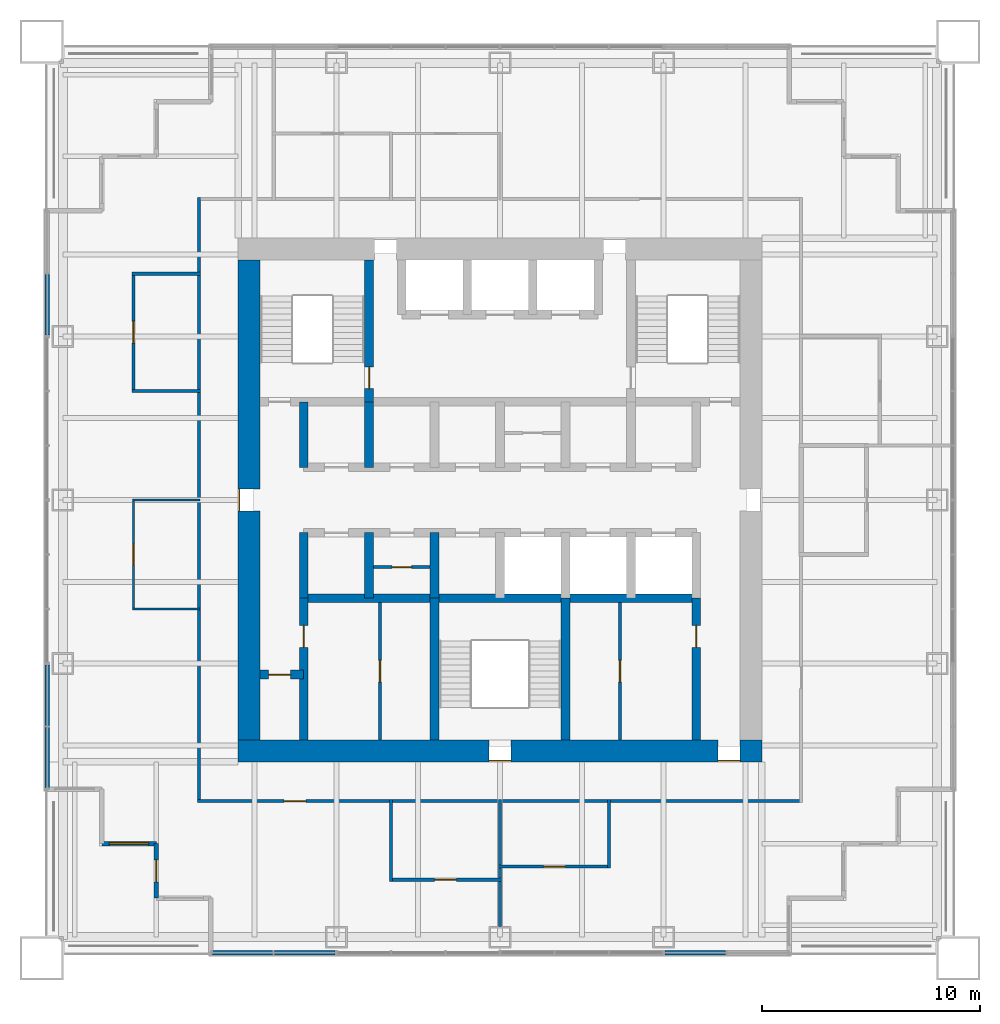
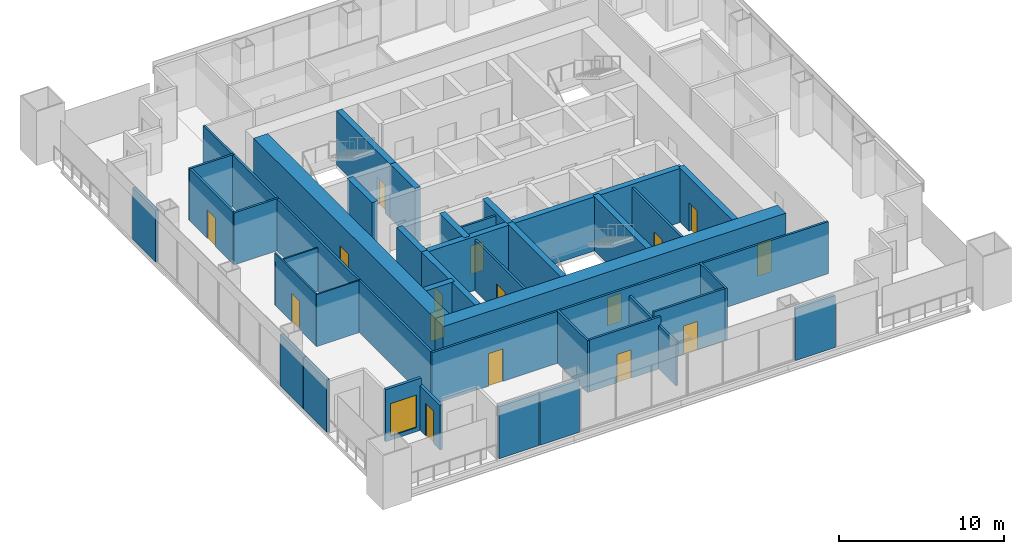
# One storey, part 9 of 14: 38 walls, 16 doors, 1 window, 17 openings.
"""IFC4 building model written with IfcOpenShell, lengths in metres."""

from ifc_helpers import new_model, si_unit, direction, frame, frame_2d, origin, place, context, subcontext, project, spatial, rectangle, extrude, material, layer, layer_set, type_object, element, fill, save


model = new_model("IFC4")

# Units and contexts
model_context = context("Model", 3, precision=1e-05, world=origin(), true_north=direction((0.0, 1.0)))
body_context = subcontext(model_context, "Body", "Model", "MODEL_VIEW")
ifc_project = project(units=[si_unit("LENGTHUNIT", "METRE"), si_unit("AREAUNIT", "SQUARE_METRE"), si_unit("VOLUMEUNIT", "CUBIC_METRE"), si_unit("PLANEANGLEUNIT", "RADIAN"), si_unit("MASSUNIT", "GRAM", prefix="KILO")], contexts=[model_context])

# Site, building, storey
site_placement = place(None, origin())
site = spatial("IfcSite", under=ifc_project, at=site_placement, CompositionType="ELEMENT")
building_placement = place(site_placement, origin())
building = spatial("IfcBuilding", under=site, at=building_placement, Name="Tarangal Relay Tower", CompositionType="ELEMENT")
storey_placement = place(building_placement, frame((0.0, 0.0, 267.89990234375)))
storey = spatial("IfcBuildingStorey", under=building, at=storey_placement, Name="L58", CompositionType="ELEMENT", Elevation=267.89990234375)

# Wall
ifc_material_1 = material(Name="Concrete fc' 60 MPa", Category="concrete")
ifc_layer_1 = layer(ifc_material_1, 0.39990234375)
ifc_layer_set_1 = layer_set([ifc_layer_1], Name="Core inner wall 400")
wall_type_1 = type_object("IfcWallType", Name="Core inner wall 400", PredefinedType="SHEAR", material=ifc_layer_set_1)
wall_1_placement = place(storey_placement, frame((-9.0, -4.5, 0.0), z_axis=(0.0, 0.0, 1.0), x_axis=(1.0, 0.0, 0.0)))
element("IfcWall", 1, at=wall_1_placement, inside=storey, type_object=wall_type_1, Name="Core wall YM45 L58", PredefinedType="SHEAR", context=body_context, shape_type="SweptSolid", body=[
    extrude(rectangle(XDim=18.0, YDim=0.39990234375, at=frame_2d((9.0, 0.0))), origin(), (0.0, 0.0, 1.0), 4.0),
])

# Wall, opening, door
wall_2_placement = place(storey_placement, frame((-11.0, -8.0, 0.0), z_axis=(0.0, 0.0, 1.0), x_axis=(1.0, 0.0, 0.0)))
wall_2 = element("IfcWall", 2, at=wall_2_placement, inside=storey, type_object=wall_type_1, Name="Core wall YM8 L58", PredefinedType="SHEAR", context=body_context, shape_type="SweptSolid", body=[
    extrude(rectangle(XDim=2.0, YDim=0.39990234375, at=frame_2d((1.0, 0.0))), origin(), (0.0, 0.0, 1.0), 4.0),
])
opening_1_placement = place(wall_2_placement, frame((0.39990234375, 0.0, 0.0)))
opening_1 = element("IfcOpeningElement", 3, at=opening_1_placement, cuts=wall_2, Name="Opening D1", PredefinedType="OPENING", context=body_context, shape_type="SweptSolid", body=[
    extrude(rectangle(XDim=1.0, YDim=2.10009765625, at=frame_2d((0.5, 1.050048828125))), frame((0.0, 0.2099609375, 0.0), z_axis=(0.0, -1.0, 0.0), x_axis=(1.0, 0.0, 0.0)), (0.0, 0.0, 1.0), 0.419921875),
])
ifc_material_2 = material(Name="Hardwood door", Category="wood")
door_type_1 = type_object("IfcDoorType", Name="WC door 1000 x 2100", OperationType="SINGLE_SWING_LEFT", PredefinedType="DOOR", material=ifc_material_2)
door_1_placement = place(opening_1_placement, origin())
door_1 = element("IfcDoor", 4, at=door_1_placement, inside=storey, type_object=door_type_1, Name="Accessible WC door L58", OperationType="SINGLE_SWING_LEFT", OverallHeight=2.10009765625, OverallWidth=1.0, PredefinedType="DOOR", context=body_context, shape_type="SweptSolid", body=[
    extrude(rectangle(XDim=1.0, YDim=2.10009765625, at=frame_2d((0.5, 1.050048828125))), frame((0.0, 0.02490234375, 0.0), z_axis=(0.0, -1.0, 0.0), x_axis=(1.0, 0.0, 0.0)), (0.0, 0.0, 1.0), 0.050048828125),
])
fill(opening_1, door_1)

# Walls
for number, where, z_axis, x_axis, name in (
    (5, (-9.0, 1.5, 0.0), (0.0, 0.0, 1.0), (0.0, 1.0, 0.0), "Core wall XM9N L58"),
    (6, (-9.0, -4.5, 0.0), (0.0, 0.0, 1.0), (0.0, 1.0, 0.0), "Core wall XM9S L58"),
    (7, (-6.0, 1.5, 0.0), (0.0, 0.0, 1.0), (0.0, 1.0, 0.0), "Core wall XM6N L58"),
    (8, (-6.0, -4.5, 0.0), (0.0, 0.0, 1.0), (0.0, 1.0, 0.0), "Core wall XM6S L58"),
    (9, (-3.0, -4.5, 0.0), (0.0, 0.0, 1.0), (0.0, 1.0, 0.0), "Core wall XM3S L58"),
):
    element("IfcWall", number, at=place(storey_placement, frame(where, z_axis=z_axis, x_axis=x_axis)), inside=storey, type_object=wall_type_1, Name=name, PredefinedType="SHEAR", context=body_context, shape_type="SweptSolid", body=[
        extrude(rectangle(XDim=3.0, YDim=0.39990234375, at=frame_2d((1.5, 0.0))), origin(), (0.0, 0.0, 1.0), 4.0),
    ])

# Wall, opening, door
wall_3_placement = place(storey_placement, frame((-6.0, 4.5, 0.0), z_axis=(0.0, 0.0, 1.0), x_axis=(0.0, 1.0, 0.0)))
wall_3 = element("IfcWall", 10, at=wall_3_placement, inside=storey, type_object=wall_type_1, Name="Core wall XM6 L58", PredefinedType="SHEAR", context=body_context, shape_type="SweptSolid", body=[
    extrude(rectangle(XDim=6.5, YDim=0.39990234375, at=frame_2d((3.25, 0.0))), origin(), (0.0, 0.0, 1.0), 4.0),
])
opening_2_placement = place(wall_3_placement, frame((0.60009765625, 0.0, 0.0)))
opening_2 = element("IfcOpeningElement", 11, at=opening_2_placement, cuts=wall_3, Name="Opening FD1", PredefinedType="OPENING", context=body_context, shape_type="SweptSolid", body=[
    extrude(rectangle(XDim=1.0, YDim=2.10009765625, at=frame_2d((0.5, 1.050048828125))), frame((0.0, 0.2099609375, 0.0), z_axis=(0.0, -1.0, 0.0), x_axis=(1.0, 0.0, 0.0)), (0.0, 0.0, 1.0), 0.419921875),
])
ifc_material_3 = material(Name="Steel door with hardwood frame", Category="steel")
door_type_2 = type_object("IfcDoorType", Name="Fire door 1000 x 2100", OperationType="SINGLE_SWING_LEFT", PredefinedType="DOOR", material=ifc_material_3)
door_2_placement = place(opening_2_placement, origin())
door_2 = element("IfcDoor", 12, at=door_2_placement, inside=storey, type_object=door_type_2, Name="Stair ST-A door from fire-fighting lobby L58", OperationType="SINGLE_SWING_LEFT", OverallHeight=2.10009765625, OverallWidth=1.0, PredefinedType="DOOR", context=body_context, shape_type="SweptSolid", body=[
    extrude(rectangle(XDim=1.0, YDim=2.10009765625, at=frame_2d((0.5, 1.050048828125))), frame((0.0, 0.02490234375, 0.0), z_axis=(0.0, -1.0, 0.0), x_axis=(1.0, 0.0, 0.0)), (0.0, 0.0, 1.0), 0.050048828125),
])
fill(opening_2, door_2)

wall_4_placement = place(storey_placement, frame((-9.0, -11.0, 0.0), z_axis=(0.0, 0.0, 1.0), x_axis=(0.0, 1.0, 0.0)))
wall_4 = element("IfcWall", 13, at=wall_4_placement, inside=storey, type_object=wall_type_1, Name="Core wall XM9W L58", PredefinedType="SHEAR", context=body_context, shape_type="SweptSolid", body=[
    extrude(rectangle(XDim=6.5, YDim=0.39990234375, at=frame_2d((3.25, 0.0))), origin(), (0.0, 0.0, 1.0), 4.0),
])
opening_3_placement = place(wall_4_placement, frame((4.25, 0.0, 0.0)))
opening_3 = element("IfcOpeningElement", 14, at=opening_3_placement, cuts=wall_4, Name="Opening D1", PredefinedType="OPENING", context=body_context, shape_type="SweptSolid", body=[
    extrude(rectangle(XDim=1.0, YDim=2.10009765625, at=frame_2d((0.5, 1.050048828125))), frame((0.0, 0.2099609375, 0.0), z_axis=(0.0, -1.0, 0.0), x_axis=(1.0, 0.0, 0.0)), (0.0, 0.0, 1.0), 0.419921875),
])
door_3_placement = place(opening_3_placement, origin())
door_3 = element("IfcDoor", 15, at=door_3_placement, inside=storey, type_object=door_type_1, Name="Male WC door L58", OperationType="SINGLE_SWING_LEFT", OverallHeight=2.10009765625, OverallWidth=1.0, PredefinedType="DOOR", context=body_context, shape_type="SweptSolid", body=[
    extrude(rectangle(XDim=1.0, YDim=2.10009765625, at=frame_2d((0.5, 1.050048828125))), frame((0.0, 0.02490234375, 0.0), z_axis=(0.0, -1.0, 0.0), x_axis=(1.0, 0.0, 0.0)), (0.0, 0.0, 1.0), 0.050048828125),
])
fill(opening_3, door_3)

wall_5_placement = place(storey_placement, frame((9.0, -11.0, 0.0), z_axis=(0.0, 0.0, 1.0), x_axis=(0.0, 1.0, 0.0)))
wall_5 = element("IfcWall", 16, at=wall_5_placement, inside=storey, type_object=wall_type_1, Name="Core wall X9W L58", PredefinedType="SHEAR", context=body_context, shape_type="SweptSolid", body=[
    extrude(rectangle(XDim=6.5, YDim=0.39990234375, at=frame_2d((3.25, 0.0))), origin(), (0.0, 0.0, 1.0), 4.0),
])
opening_4_placement = place(wall_5_placement, frame((4.25, 0.0, 0.0)))
opening_4 = element("IfcOpeningElement", 17, at=opening_4_placement, cuts=wall_5, Name="Opening D1", PredefinedType="OPENING", context=body_context, shape_type="SweptSolid", body=[
    extrude(rectangle(XDim=1.0, YDim=2.10009765625, at=frame_2d((0.5, 1.050048828125))), frame((0.0, 0.2099609375, 0.0), z_axis=(0.0, -1.0, 0.0), x_axis=(1.0, 0.0, 0.0)), (0.0, 0.0, 1.0), 0.419921875),
])
door_4_placement = place(opening_4_placement, origin())
door_4 = element("IfcDoor", 18, at=door_4_placement, inside=storey, type_object=door_type_1, Name="Female WC door L58", OperationType="SINGLE_SWING_LEFT", OverallHeight=2.10009765625, OverallWidth=1.0, PredefinedType="DOOR", context=body_context, shape_type="SweptSolid", body=[
    extrude(rectangle(XDim=1.0, YDim=2.10009765625, at=frame_2d((0.5, 1.050048828125))), frame((0.0, 0.02490234375, 0.0), z_axis=(0.0, -1.0, 0.0), x_axis=(1.0, 0.0, 0.0)), (0.0, 0.0, 1.0), 0.050048828125),
])
fill(opening_4, door_4)

# Walls
for number, where, z_axis, x_axis, name in (
    (19, (-3.0, -11.0, 0.0), (0.0, 0.0, 1.0), (0.0, 1.0, 0.0), "Core wall XM3W L58"),
    (20, (3.0, -11.0, 0.0), (0.0, 0.0, 1.0), (0.0, 1.0, 0.0), "Core wall X3W L58"),
):
    element("IfcWall", number, at=place(storey_placement, frame(where, z_axis=z_axis, x_axis=x_axis)), inside=storey, type_object=wall_type_1, Name=name, PredefinedType="SHEAR", context=body_context, shape_type="SweptSolid", body=[
        extrude(rectangle(XDim=6.5, YDim=0.39990234375, at=frame_2d((3.25, 0.0))), origin(), (0.0, 0.0, 1.0), 4.0),
    ])

# Wall, openings, doors
ifc_layer_2 = layer(ifc_material_1, 1.0)
ifc_layer_set_2 = layer_set([ifc_layer_2], Name="Core wall 1000")
wall_type_2 = type_object("IfcWallType", Name="Core wall 1000", PredefinedType="SHEAR", material=ifc_layer_set_2)
wall_6_placement = place(storey_placement, frame((12.0, -11.5, 0.0), z_axis=(0.0, 0.0, 1.0), x_axis=(-1.0, 0.0, 0.0)))
wall_6 = element("IfcWall", 21, at=wall_6_placement, inside=storey, type_object=wall_type_2, Name="Core wall S L58", PredefinedType="SHEAR", context=body_context, shape_type="SweptSolid", body=[
    extrude(rectangle(XDim=24.0, YDim=1.0, at=frame_2d((12.0, 0.0))), origin(), (0.0, 0.0, 1.0), 4.0),
])
opening_5_placement = place(wall_6_placement, frame((11.5, 0.0, 0.0)))
opening_5 = element("IfcOpeningElement", 22, at=opening_5_placement, cuts=wall_6, Name="Opening FD1", PredefinedType="OPENING", context=body_context, shape_type="SweptSolid", body=[
    extrude(rectangle(XDim=1.0, YDim=2.10009765625, at=frame_2d((0.5, 1.050048828125))), frame((0.0, 0.510009765625, 0.0), z_axis=(0.0, -1.0, 0.0), x_axis=(1.0, 0.0, 0.0)), (0.0, 0.0, 1.0), 1.02001953125),
])
opening_6_placement = place(wall_6_placement, frame((1.0, 0.0, 0.0)))
opening_6 = element("IfcOpeningElement", 23, at=opening_6_placement, cuts=wall_6, Name="Opening FD3", PredefinedType="OPENING", context=body_context, shape_type="SweptSolid", body=[
    extrude(rectangle(XDim=1.0, YDim=2.39990234375, at=frame_2d((0.5, 1.199951171875))), frame((0.0, 0.510009765625, 0.0), z_axis=(0.0, -1.0, 0.0), x_axis=(1.0, 0.0, 0.0)), (0.0, 0.0, 1.0), 1.02001953125),
])
door_5_placement = place(opening_5_placement, origin())
door_5 = element("IfcDoor", 24, at=door_5_placement, inside=storey, type_object=door_type_2, Name="Stair ST-C door L58", OperationType="SINGLE_SWING_LEFT", OverallHeight=2.10009765625, OverallWidth=1.0, PredefinedType="DOOR", context=body_context, shape_type="SweptSolid", body=[
    extrude(rectangle(XDim=1.0, YDim=2.10009765625, at=frame_2d((0.5, 1.050048828125))), frame((0.0, 0.48486328125, 0.0), z_axis=(0.0, -1.0, 0.0), x_axis=(1.0, 0.0, 0.0)), (0.0, 0.0, 1.0), 0.050048828125),
])
fill(opening_5, door_5)
door_type_3 = type_object("IfcDoorType", Name="Fire door 1000 x 2400 core entry", OperationType="SINGLE_SWING_RIGHT", PredefinedType="DOOR", material=ifc_material_3)
door_6_placement = place(opening_6_placement, origin())
door_6 = element("IfcDoor", 25, at=door_6_placement, inside=storey, type_object=door_type_3, Name="Core entry door south east L58", OperationType="SINGLE_SWING_RIGHT", OverallHeight=2.39990234375, OverallWidth=1.0, PredefinedType="DOOR", context=body_context, shape_type="SweptSolid", body=[
    extrude(rectangle(XDim=1.0, YDim=2.39990234375, at=frame_2d((0.5, 1.199951171875))), frame((0.0, 0.48486328125, 0.0), z_axis=(0.0, -1.0, 0.0), x_axis=(1.0, 0.0, 0.0)), (0.0, 0.0, 1.0), 0.050048828125),
])
fill(opening_6, door_6)

# Wall, opening, door
wall_7_placement = place(storey_placement, frame((-11.5, -11.0, 0.0), z_axis=(0.0, 0.0, 1.0), x_axis=(0.0, 1.0, 0.0)))
wall_7 = element("IfcWall", 26, at=wall_7_placement, inside=storey, type_object=wall_type_2, Name="Core wall W L58", PredefinedType="SHEAR", context=body_context, shape_type="SweptSolid", body=[
    extrude(rectangle(XDim=22.0, YDim=1.0, at=frame_2d((11.0, 0.0))), origin(), (0.0, 0.0, 1.0), 4.0),
])
opening_7_placement = place(wall_7_placement, frame((10.5, 0.0, 0.0)))
opening_7 = element("IfcOpeningElement", 27, at=opening_7_placement, cuts=wall_7, Name="Opening FD3", PredefinedType="OPENING", context=body_context, shape_type="SweptSolid", body=[
    extrude(rectangle(XDim=1.0, YDim=2.39990234375, at=frame_2d((0.5, 1.199951171875))), frame((0.0, 0.510009765625, 0.0), z_axis=(0.0, -1.0, 0.0), x_axis=(1.0, 0.0, 0.0)), (0.0, 0.0, 1.0), 1.02001953125),
])
door_7_placement = place(opening_7_placement, origin())
door_7 = element("IfcDoor", 28, at=door_7_placement, inside=storey, type_object=door_type_3, Name="Core entry door west L58", OperationType="SINGLE_SWING_RIGHT", OverallHeight=2.39990234375, OverallWidth=1.0, PredefinedType="DOOR", context=body_context, shape_type="SweptSolid", body=[
    extrude(rectangle(XDim=1.0, YDim=2.39990234375, at=frame_2d((0.5, 1.199951171875))), frame((0.0, 0.48486328125, 0.0), z_axis=(0.0, -1.0, 0.0), x_axis=(1.0, 0.0, 0.0)), (0.0, 0.0, 1.0), 0.050048828125),
])
fill(opening_7, door_7)

ifc_material_4 = material(Name="Black metal clad insulated wall", Category="steel")
ifc_layer_3 = layer(ifc_material_4, 0.199951171875)
ifc_layer_set_3 = layer_set([ifc_layer_3], Name="Corner wall metal clad 200")
wall_type_3 = type_object("IfcWallType", Name="Corner wall metal clad 200", PredefinedType="SOLIDWALL", material=ifc_layer_set_3)
wall_8_placement = place(storey_placement, frame((-15.75, -18.25, 0.0), z_axis=(0.0, 0.0, 1.0), x_axis=(0.0, 1.0, 0.0)))
wall_8 = element("IfcWall", 29, at=wall_8_placement, inside=storey, type_object=wall_type_3, Name="Facade wall S facade L58", PredefinedType="SOLIDWALL", context=body_context, shape_type="SweptSolid", body=[
    extrude(rectangle(XDim=2.5, YDim=0.199951171875, at=frame_2d((1.25, 0.0))), origin(), (0.0, 0.0, 1.0), 3.316650390625),
])
opening_8_placement = place(wall_8_placement, frame((0.75, 0.0, 0.0)))
opening_8 = element("IfcOpeningElement", 30, at=opening_8_placement, cuts=wall_8, Name="Opening TD1", PredefinedType="OPENING", context=body_context, shape_type="SweptSolid", body=[
    extrude(rectangle(XDim=1.0, YDim=2.39990234375, at=frame_2d((0.5, 1.199951171875))), frame((0.0, 0.10986328125, 0.0), z_axis=(0.0, -1.0, 0.0), x_axis=(1.0, 0.0, 0.0)), (0.0, 0.0, 1.0), 0.219970703125),
])
ifc_material_5 = material(Name="Aluminium glazed door", Category="aluminium")
door_type_4 = type_object("IfcDoorType", Name="Terrace door 1000 x 2400", OperationType="SINGLE_SWING_RIGHT", PredefinedType="DOOR", material=ifc_material_5)
door_8_placement = place(opening_8_placement, origin())
door_8 = element("IfcDoor", 31, at=door_8_placement, inside=storey, type_object=door_type_4, Name="Terrace door TD1 SW L58", OperationType="SINGLE_SWING_RIGHT", OverallHeight=2.39990234375, OverallWidth=1.0, PredefinedType="DOOR", context=body_context, shape_type="SweptSolid", body=[
    extrude(rectangle(XDim=1.0, YDim=2.39990234375, at=frame_2d((0.5, 1.199951171875))), frame((0.0, 0.02490234375, 0.0), z_axis=(0.0, -1.0, 0.0), x_axis=(1.0, 0.0, 0.0)), (0.0, 0.0, 1.0), 0.050048828125),
])
fill(opening_8, door_8)

# Wall, opening, window
wall_9_placement = place(storey_placement, frame((-15.75, -15.75, 0.0), z_axis=(0.0, 0.0, 1.0), x_axis=(-1.0, 0.0, 0.0)))
wall_9 = element("IfcWall", 32, at=wall_9_placement, inside=storey, type_object=wall_type_3, Name="Facade wall S facade L58", PredefinedType="SOLIDWALL", context=body_context, shape_type="SweptSolid", body=[
    extrude(rectangle(XDim=2.5, YDim=0.199951171875, at=frame_2d((1.25, 0.0))), origin(), (0.0, 0.0, 1.0), 3.85009765625),
])
opening_9_placement = place(wall_9_placement, frame((0.35009765625, 0.0, 0.300048828125)))
opening_9 = element("IfcOpeningElement", 33, at=opening_9_placement, cuts=wall_9, Name="Opening WN2", PredefinedType="OPENING", context=body_context, shape_type="SweptSolid", body=[
    extrude(rectangle(XDim=1.800048828125, YDim=2.39990234375, at=frame_2d((0.89990234375, 1.199951171875))), frame((0.0, 0.10986328125, 0.0), z_axis=(0.0, -1.0, 0.0), x_axis=(1.0, 0.0, 0.0)), (0.0, 0.0, 1.0), 0.219970703125),
])
ifc_material_6 = material(Name="Dark tinted double glazing in black aluminium frame", Category="aluminium")
window_type = type_object("IfcWindowType", Name="Corner window 1800 x 2400", PartitioningType="SINGLE_PANEL", PredefinedType="WINDOW", material=ifc_material_6)
window_placement = place(opening_9_placement, origin())
window = element("IfcWindow", 34, at=window_placement, inside=storey, type_object=window_type, Name="Corner window WN2 S facade L58", OverallHeight=2.39990234375, OverallWidth=1.800048828125, PartitioningType="SINGLE_PANEL", PredefinedType="WINDOW", context=body_context, shape_type="SweptSolid", body=[
    extrude(rectangle(XDim=1.800048828125, YDim=2.39990234375, at=frame_2d((0.89990234375, 1.199951171875))), frame((0.0, 0.030029296875, 0.0), z_axis=(0.0, -1.0, 0.0), x_axis=(1.0, 0.0, 0.0)), (0.0, 0.0, 1.0), 0.06005859375),
])
fill(opening_9, window)

# Walls
ifc_layer_4 = layer(ifc_material_4, 0.199951171875)
ifc_layer_set_4 = layer_set([ifc_layer_4], Name="Facade infill wall metal clad 200")
wall_type_4 = type_object("IfcWallType", Name="Facade infill wall metal clad 200", PredefinedType="SOLIDWALL", material=ifc_layer_set_4)
for number, where, z_axis, x_axis, name in (
    (35, (10.344970703125, -20.75, 0.0), (0.0, 0.0, 1.0), (-1.0, 0.0, 0.0), "Facade infill wall S facade L58 2.1"),
    (36, (-7.56005859375, -20.75, 0.0), (0.0, 0.0, 1.0), (-1.0, 0.0, 0.0), "Facade infill wall S facade L58 1.1"),
    (37, (-10.405029296875, -20.75, 0.0), (0.0, 0.0, 1.0), (-1.0, 0.0, 0.0), "Facade infill wall S facade L58 2.1"),
    (38, (-20.75, -13.18994140625, 0.0), (0.0, 0.0, 1.0), (0.0, 1.0, 0.0), "Facade infill wall W facade L58 1.1"),
    (39, (-20.75, -10.344970703125, 0.0), (0.0, 0.0, 1.0), (0.0, 1.0, 0.0), "Facade infill wall W facade L58 2.1"),
    (40, (-20.75, 7.56005859375, 0.0), (0.0, 0.0, 1.0), (0.0, 1.0, 0.0), "Facade infill wall W facade L58 1.1"),
):
    element("IfcWall", number, at=place(storey_placement, frame(where, z_axis=z_axis, x_axis=x_axis)), inside=storey, type_object=wall_type_4, Name=name, PredefinedType="SOLIDWALL", context=body_context, shape_type="SweptSolid", body=[
        extrude(rectangle(XDim=2.784912109375, YDim=0.199951171875, at=frame_2d((1.392578125, 0.0))), origin(), (0.0, 0.0, 1.0), 3.85009765625),
    ])
ifc_material_7 = material(Name="Double glazed aluminium framed partition", Category="aluminium")
ifc_layer_5 = layer(ifc_material_7, 0.10009765625)
ifc_layer_set_5 = layer_set([ifc_layer_5], Name="Glazed partition 100")
wall_type_5 = type_object("IfcWallType", Name="Glazed partition 100", PredefinedType="PARTITIONING", material=ifc_layer_set_5)
wall_10_placement = place(storey_placement, frame((-16.85009765625, -5.0, 0.0), z_axis=(0.0, 0.0, 1.0), x_axis=(1.0, 0.0, 0.0)))
element("IfcWall", 41, at=wall_10_placement, inside=storey, type_object=wall_type_5, Name="Partition PT3 L58", PredefinedType="PARTITIONING", context=body_context, shape_type="SweptSolid", body=[
    extrude(rectangle(XDim=3.10009765625, YDim=0.10009765625, at=frame_2d((1.550048828125, 0.0))), origin(), (0.0, 0.0, 1.0), 3.85009765625),
])
wall_11_placement = place(storey_placement, frame((-16.85009765625, 0.0, 0.0), z_axis=(0.0, 0.0, 1.0), x_axis=(1.0, 0.0, 0.0)))
element("IfcWall", 42, at=wall_11_placement, inside=storey, type_object=wall_type_5, Name="Partition PT3 L58", PredefinedType="PARTITIONING", context=body_context, shape_type="SweptSolid", body=[
    extrude(rectangle(XDim=3.10009765625, YDim=0.10009765625, at=frame_2d((1.550048828125, 0.0))), origin(), (0.0, 0.0, 1.0), 3.2431640625),
])

# Wall, opening, door
wall_12_placement = place(storey_placement, frame((-16.800048828125, -5.050048828125, 0.0), z_axis=(0.0, 0.0, 1.0), x_axis=(0.0, 1.0, 0.0)))
wall_12 = element("IfcWall", 43, at=wall_12_placement, inside=storey, type_object=wall_type_5, Name="Partition PT3 L58", PredefinedType="PARTITIONING", context=body_context, shape_type="SweptSolid", body=[
    extrude(rectangle(XDim=5.10009765625, YDim=0.10009765625, at=frame_2d((2.550048828125, 0.0))), origin(), (0.0, 0.0, 1.0), 3.85009765625),
])
opening_10_placement = place(wall_12_placement, frame((2.050048828125, 0.0, 0.0)))
opening_10 = element("IfcOpeningElement", 44, at=opening_10_placement, cuts=wall_12, Name="Opening D3", PredefinedType="OPENING", context=body_context, shape_type="SweptSolid", body=[
    extrude(rectangle(XDim=1.0, YDim=2.10009765625, at=frame_2d((0.5, 1.050048828125))), frame((0.0, 0.06005859375, 0.0), z_axis=(0.0, -1.0, 0.0), x_axis=(1.0, 0.0, 0.0)), (0.0, 0.0, 1.0), 0.1201171875),
])
ifc_material_8 = material(Name="Frameless glass door", Category="glass")
door_type_5 = type_object("IfcDoorType", Name="Glazed door 1000 x 2100", OperationType="SINGLE_SWING_LEFT", PredefinedType="DOOR", material=ifc_material_8)
door_9_placement = place(opening_10_placement, origin())
door_9 = element("IfcDoor", 45, at=door_9_placement, inside=storey, type_object=door_type_5, Name="Door D3 to meeting room L58-08", OperationType="SINGLE_SWING_LEFT", OverallHeight=2.10009765625, OverallWidth=1.0, PredefinedType="DOOR", context=body_context, shape_type="SweptSolid", body=[
    extrude(rectangle(XDim=1.0, YDim=2.10009765625, at=frame_2d((0.5, 1.050048828125))), frame((0.0, 0.02490234375, 0.0), z_axis=(0.0, -1.0, 0.0), x_axis=(1.0, 0.0, 0.0)), (0.0, 0.0, 1.0), 0.050048828125),
])
fill(opening_10, door_9)

ifc_material_9 = material(Name="Gypsum board on steel studs", Category="steel")
ifc_layer_6 = layer(ifc_material_9, 0.14990234375)
ifc_layer_set_6 = layer_set([ifc_layer_6], Name="Partition 150")
wall_type_6 = type_object("IfcWallType", Name="Partition 150", PredefinedType="PARTITIONING", material=ifc_layer_set_6)
wall_13_placement = place(storey_placement, frame((-5.074951171875, -17.39990234375, 0.0), z_axis=(0.0, 0.0, 1.0), x_axis=(1.0, 0.0, 0.0)))
wall_13 = element("IfcWall", 46, at=wall_13_placement, inside=storey, type_object=wall_type_6, Name="Partition PT1 L58", PredefinedType="PARTITIONING", context=body_context, shape_type="SweptSolid", body=[
    extrude(rectangle(XDim=5.14990234375, YDim=0.14990234375, at=frame_2d((2.574951171875, 0.0))), origin(), (0.0, 0.0, 1.0), 3.85009765625),
])
opening_11_placement = place(wall_13_placement, frame((2.074951171875, 0.0, 0.0)))
opening_11 = element("IfcOpeningElement", 47, at=opening_11_placement, cuts=wall_13, Name="Opening D2", PredefinedType="OPENING", context=body_context, shape_type="SweptSolid", body=[
    extrude(rectangle(XDim=1.0, YDim=2.10009765625, at=frame_2d((0.5, 1.050048828125))), frame((0.0, 0.0849609375, 0.0), z_axis=(0.0, -1.0, 0.0), x_axis=(1.0, 0.0, 0.0)), (0.0, 0.0, 1.0), 0.169921875),
])
door_type_6 = type_object("IfcDoorType", Name="Door 1000 x 2100", OperationType="SINGLE_SWING_LEFT", PredefinedType="DOOR", material=ifc_material_2)
door_10_placement = place(opening_11_placement, origin())
door_10 = element("IfcDoor", 48, at=door_10_placement, inside=storey, type_object=door_type_6, Name="Door D2 to tea pantry L58-07", OperationType="SINGLE_SWING_LEFT", OverallHeight=2.10009765625, OverallWidth=1.0, PredefinedType="DOOR", context=body_context, shape_type="SweptSolid", body=[
    extrude(rectangle(XDim=1.0, YDim=2.10009765625, at=frame_2d((0.5, 1.050048828125))), frame((0.0, 0.02490234375, 0.0), z_axis=(0.0, -1.0, 0.0), x_axis=(1.0, 0.0, 0.0)), (0.0, 0.0, 1.0), 0.050048828125),
])
fill(opening_11, door_10)

wall_14_placement = place(storey_placement, frame((-0.074951171875, -16.800048828125, 0.0), z_axis=(0.0, 0.0, 1.0), x_axis=(1.0, 0.0, 0.0)))
wall_14 = element("IfcWall", 49, at=wall_14_placement, inside=storey, type_object=wall_type_6, Name="Partition PT1 L58", PredefinedType="PARTITIONING", context=body_context, shape_type="SweptSolid", body=[
    extrude(rectangle(XDim=5.14990234375, YDim=0.14990234375, at=frame_2d((2.574951171875, 0.0))), origin(), (0.0, 0.0, 1.0), 3.85009765625),
])
opening_12_placement = place(wall_14_placement, frame((2.074951171875, 0.0, 0.0)))
opening_12 = element("IfcOpeningElement", 50, at=opening_12_placement, cuts=wall_14, Name="Opening D2", PredefinedType="OPENING", context=body_context, shape_type="SweptSolid", body=[
    extrude(rectangle(XDim=1.0, YDim=2.10009765625, at=frame_2d((0.5, 1.050048828125))), frame((0.0, 0.0849609375, 0.0), z_axis=(0.0, -1.0, 0.0), x_axis=(1.0, 0.0, 0.0)), (0.0, 0.0, 1.0), 0.169921875),
])
door_11_placement = place(opening_12_placement, origin())
door_11 = element("IfcDoor", 51, at=door_11_placement, inside=storey, type_object=door_type_6, Name="Door D2 to cellular office L58-06", OperationType="SINGLE_SWING_LEFT", OverallHeight=2.10009765625, OverallWidth=1.0, PredefinedType="DOOR", context=body_context, shape_type="SweptSolid", body=[
    extrude(rectangle(XDim=1.0, YDim=2.10009765625, at=frame_2d((0.5, 1.050048828125))), frame((0.0, 0.02490234375, 0.0), z_axis=(0.0, -1.0, 0.0), x_axis=(1.0, 0.0, 0.0)), (0.0, 0.0, 1.0), 0.050048828125),
])
fill(opening_12, door_11)

wall_15_placement = place(storey_placement, frame((-13.875, -13.800048828125, 0.0), z_axis=(0.0, 0.0, 1.0), x_axis=(1.0, 0.0, 0.0)))
wall_15 = element("IfcWall", 52, at=wall_15_placement, inside=storey, type_object=wall_type_6, Name="Partition PT1 L58", PredefinedType="PARTITIONING", context=body_context, shape_type="SweptSolid", body=[
    extrude(rectangle(XDim=27.75, YDim=0.14990234375, at=frame_2d((13.875, 0.0))), origin(), (0.0, 0.0, 1.0), 3.85009765625),
])
opening_13_placement = place(wall_15_placement, frame((3.97509765625, 0.0, 0.0)))
opening_13 = element("IfcOpeningElement", 53, at=opening_13_placement, cuts=wall_15, Name="Opening SD1", PredefinedType="OPENING", context=body_context, shape_type="SweptSolid", body=[
    extrude(rectangle(XDim=1.0, YDim=2.39990234375, at=frame_2d((0.5, 1.199951171875))), frame((0.0, 0.0849609375, 0.0), z_axis=(0.0, -1.0, 0.0), x_axis=(1.0, 0.0, 0.0)), (0.0, 0.0, 1.0), 0.169921875),
])
door_type_7 = type_object("IfcDoorType", Name="Suite entrance door 1000 x 2400", OperationType="SINGLE_SWING_RIGHT", PredefinedType="DOOR", material=ifc_material_3)
door_12_placement = place(opening_13_placement, origin())
door_12 = element("IfcDoor", 54, at=door_12_placement, inside=storey, type_object=door_type_7, Name="Door SD1 to open plan office L58-12", OperationType="SINGLE_SWING_RIGHT", OverallHeight=2.39990234375, OverallWidth=1.0, PredefinedType="DOOR", context=body_context, shape_type="SweptSolid", body=[
    extrude(rectangle(XDim=1.0, YDim=2.39990234375, at=frame_2d((0.5, 1.199951171875))), frame((0.0, 0.02490234375, 0.0), z_axis=(0.0, -1.0, 0.0), x_axis=(1.0, 0.0, 0.0)), (0.0, 0.0, 1.0), 0.050048828125),
])
fill(opening_13, door_12)

# Walls
for number, where, z_axis, x_axis, name in (
    (55, (-16.875, 5.0, 0.0), (0.0, 0.0, 1.0), (1.0, 0.0, 0.0), "Partition PT1 L58"),
    (56, (-16.875, 10.375, 0.0), (0.0, 0.0, 1.0), (1.0, 0.0, 0.0), "Partition PT1 L58"),
):
    element("IfcWall", number, at=place(storey_placement, frame(where, z_axis=z_axis, x_axis=x_axis)), inside=storey, type_object=wall_type_6, Name=name, PredefinedType="PARTITIONING", context=body_context, shape_type="SweptSolid", body=[
        extrude(rectangle(XDim=3.14990234375, YDim=0.14990234375, at=frame_2d((1.574951171875, 0.0))), origin(), (0.0, 0.0, 1.0), 3.85009765625),
    ])

# Wall, opening, door
wall_16_placement = place(storey_placement, frame((-16.800048828125, 4.925048828125, 0.0), z_axis=(0.0, 0.0, 1.0), x_axis=(0.0, 1.0, 0.0)))
wall_16 = element("IfcWall", 57, at=wall_16_placement, inside=storey, type_object=wall_type_6, Name="Partition PT1 L58", PredefinedType="PARTITIONING", context=body_context, shape_type="SweptSolid", body=[
    extrude(rectangle(XDim=5.52490234375, YDim=0.14990234375, at=frame_2d((2.762451171875, 0.0))), origin(), (0.0, 0.0, 1.0), 3.85009765625),
])
opening_14_placement = place(wall_16_placement, frame((2.262451171875, 0.0, 0.0)))
opening_14 = element("IfcOpeningElement", 58, at=opening_14_placement, cuts=wall_16, Name="Opening D2", PredefinedType="OPENING", context=body_context, shape_type="SweptSolid", body=[
    extrude(rectangle(XDim=1.0, YDim=2.10009765625, at=frame_2d((0.5, 1.050048828125))), frame((0.0, 0.0849609375, 0.0), z_axis=(0.0, -1.0, 0.0), x_axis=(1.0, 0.0, 0.0)), (0.0, 0.0, 1.0), 0.169921875),
])
door_13_placement = place(opening_14_placement, origin())
door_13 = element("IfcDoor", 59, at=door_13_placement, inside=storey, type_object=door_type_6, Name="Door D2 to cellular office L58-09", OperationType="SINGLE_SWING_LEFT", OverallHeight=2.10009765625, OverallWidth=1.0, PredefinedType="DOOR", context=body_context, shape_type="SweptSolid", body=[
    extrude(rectangle(XDim=1.0, YDim=2.10009765625, at=frame_2d((0.5, 1.050048828125))), frame((0.0, 0.02490234375, 0.0), z_axis=(0.0, -1.0, 0.0), x_axis=(1.0, 0.0, 0.0)), (0.0, 0.0, 1.0), 0.050048828125),
])
fill(opening_14, door_13)

# Walls
wall_17_placement = place(storey_placement, frame((-13.800048828125, -13.875, 0.0), z_axis=(0.0, 0.0, 1.0), x_axis=(0.0, 1.0, 0.0)))
element("IfcWall", 60, at=wall_17_placement, inside=storey, type_object=wall_type_6, Name="Partition PT1 L58", PredefinedType="PARTITIONING", context=body_context, shape_type="SweptSolid", body=[
    extrude(rectangle(XDim=27.75, YDim=0.14990234375, at=frame_2d((13.875, 0.0))), origin(), (0.0, 0.0, 1.0), 3.85009765625),
])
wall_18_placement = place(storey_placement, frame((-5.0, -17.47509765625, 0.0), z_axis=(0.0, 0.0, 1.0), x_axis=(0.0, 1.0, 0.0)))
element("IfcWall", 61, at=wall_18_placement, inside=storey, type_object=wall_type_6, Name="Partition PT1 L58", PredefinedType="PARTITIONING", context=body_context, shape_type="SweptSolid", body=[
    extrude(rectangle(XDim=3.75, YDim=0.14990234375, at=frame_2d((1.875, 0.0))), origin(), (0.0, 0.0, 1.0), 3.85009765625),
])
wall_19_placement = place(storey_placement, frame((0.0, -19.5400390625, 0.0), z_axis=(0.0, 0.0, 1.0), x_axis=(0.0, 1.0, 0.0)))
element("IfcWall", 62, at=wall_19_placement, inside=storey, type_object=wall_type_6, Name="Partition PT1 L58", PredefinedType="PARTITIONING", context=body_context, shape_type="SweptSolid", body=[
    extrude(rectangle(XDim=5.81494140625, YDim=0.14990234375, at=frame_2d((2.907470703125, 0.0))), origin(), (0.0, 0.0, 1.0), 3.2431640625),
])
wall_20_placement = place(storey_placement, frame((5.0, -16.875, 0.0), z_axis=(0.0, 0.0, 1.0), x_axis=(0.0, 1.0, 0.0)))
element("IfcWall", 63, at=wall_20_placement, inside=storey, type_object=wall_type_6, Name="Partition PT1 L58", PredefinedType="PARTITIONING", context=body_context, shape_type="SweptSolid", body=[
    extrude(rectangle(XDim=3.14990234375, YDim=0.14990234375, at=frame_2d((1.574951171875, 0.0))), origin(), (0.0, 0.0, 1.0), 3.85009765625),
])

# Wall, opening, door
wall_21_placement = place(storey_placement, frame((-5.5, -11.0, 0.0), z_axis=(0.0, 0.0, 1.0), x_axis=(0.0, 1.0, 0.0)))
wall_21 = element("IfcWall", 64, at=wall_21_placement, inside=storey, type_object=wall_type_6, Name="Partition PT1 L58", PredefinedType="PARTITIONING", context=body_context, shape_type="SweptSolid", body=[
    extrude(rectangle(XDim=6.300048828125, YDim=0.14990234375, at=frame_2d((3.14990234375, 0.0))), origin(), (0.0, 0.0, 1.0), 3.75),
])
opening_15_placement = place(wall_21_placement, frame((2.64990234375, 0.0, 0.0)))
opening_15 = element("IfcOpeningElement", 65, at=opening_15_placement, cuts=wall_21, Name="Opening D1", PredefinedType="OPENING", context=body_context, shape_type="SweptSolid", body=[
    extrude(rectangle(XDim=1.0, YDim=2.10009765625, at=frame_2d((0.5, 1.050048828125))), frame((0.0, 0.0849609375, 0.0), z_axis=(0.0, -1.0, 0.0), x_axis=(1.0, 0.0, 0.0)), (0.0, 0.0, 1.0), 0.169921875),
])
door_14_placement = place(opening_15_placement, origin())
door_14 = element("IfcDoor", 66, at=door_14_placement, inside=storey, type_object=door_type_1, Name="Door D1 to male shower and changing room L58-C7B", OperationType="SINGLE_SWING_LEFT", OverallHeight=2.10009765625, OverallWidth=1.0, PredefinedType="DOOR", context=body_context, shape_type="SweptSolid", body=[
    extrude(rectangle(XDim=1.0, YDim=2.10009765625, at=frame_2d((0.5, 1.050048828125))), frame((0.0, 0.02490234375, 0.0), z_axis=(0.0, -1.0, 0.0), x_axis=(1.0, 0.0, 0.0)), (0.0, 0.0, 1.0), 0.050048828125),
])
fill(opening_15, door_14)

wall_22_placement = place(storey_placement, frame((5.5, -11.0, 0.0), z_axis=(0.0, 0.0, 1.0), x_axis=(0.0, 1.0, 0.0)))
wall_22 = element("IfcWall", 67, at=wall_22_placement, inside=storey, type_object=wall_type_6, Name="Partition PT1 L58", PredefinedType="PARTITIONING", context=body_context, shape_type="SweptSolid", body=[
    extrude(rectangle(XDim=6.300048828125, YDim=0.14990234375, at=frame_2d((3.14990234375, 0.0))), origin(), (0.0, 0.0, 1.0), 3.75),
])
opening_16_placement = place(wall_22_placement, frame((2.64990234375, 0.0, 0.0)))
opening_16 = element("IfcOpeningElement", 68, at=opening_16_placement, cuts=wall_22, Name="Opening D1", PredefinedType="OPENING", context=body_context, shape_type="SweptSolid", body=[
    extrude(rectangle(XDim=1.0, YDim=2.10009765625, at=frame_2d((0.5, 1.050048828125))), frame((0.0, 0.0849609375, 0.0), z_axis=(0.0, -1.0, 0.0), x_axis=(1.0, 0.0, 0.0)), (0.0, 0.0, 1.0), 0.169921875),
])
door_15_placement = place(opening_16_placement, origin())
door_15 = element("IfcDoor", 69, at=door_15_placement, inside=storey, type_object=door_type_1, Name="Door D1 to female shower and changing room L58-C10B", OperationType="SINGLE_SWING_LEFT", OverallHeight=2.10009765625, OverallWidth=1.0, PredefinedType="DOOR", context=body_context, shape_type="SweptSolid", body=[
    extrude(rectangle(XDim=1.0, YDim=2.10009765625, at=frame_2d((0.5, 1.050048828125))), frame((0.0, 0.02490234375, 0.0), z_axis=(0.0, -1.0, 0.0), x_axis=(1.0, 0.0, 0.0)), (0.0, 0.0, 1.0), 0.050048828125),
])
fill(opening_16, door_15)

wall_23_placement = place(storey_placement, frame((-5.800048828125, -3.074951171875, 0.0), z_axis=(0.0, 0.0, 1.0), x_axis=(1.0, 0.0, 0.0)))
wall_23 = element("IfcWall", 70, at=wall_23_placement, inside=storey, type_object=wall_type_6, Name="Partition PT1 L58", PredefinedType="PARTITIONING", context=body_context, shape_type="SweptSolid", body=[
    extrude(rectangle(XDim=2.60009765625, YDim=0.14990234375, at=frame_2d((1.300048828125, 0.0))), origin(), (0.0, 0.0, 1.0), 3.75),
])
opening_17_placement = place(wall_23_placement, frame((0.85009765625, 0.0, 0.0)))
opening_17 = element("IfcOpeningElement", 71, at=opening_17_placement, cuts=wall_23, Name="Opening D5", PredefinedType="OPENING", context=body_context, shape_type="SweptSolid", body=[
    extrude(rectangle(XDim=0.89990234375, YDim=2.10009765625, at=frame_2d((0.449951171875, 1.050048828125))), frame((0.0, 0.0849609375, 0.0), z_axis=(0.0, -1.0, 0.0), x_axis=(1.0, 0.0, 0.0)), (0.0, 0.0, 1.0), 0.169921875),
])
door_type_8 = type_object("IfcDoorType", Name="Cupboard door 900 x 2100", OperationType="SINGLE_SWING_LEFT", PredefinedType="DOOR", material=ifc_material_2)
door_16_placement = place(opening_17_placement, origin())
door_16 = element("IfcDoor", 72, at=door_16_placement, inside=storey, type_object=door_type_8, Name="Door D5 to it patch cupboard L58-S2B", OperationType="SINGLE_SWING_LEFT", OverallHeight=2.10009765625, OverallWidth=0.89990234375, PredefinedType="DOOR", context=body_context, shape_type="SweptSolid", body=[
    extrude(rectangle(XDim=0.89990234375, YDim=2.10009765625, at=frame_2d((0.449951171875, 1.050048828125))), frame((0.0, 0.02490234375, 0.0), z_axis=(0.0, -1.0, 0.0), x_axis=(1.0, 0.0, 0.0)), (0.0, 0.0, 1.0), 0.050048828125),
])
fill(opening_17, door_16)

save(model, "model.ifc")
